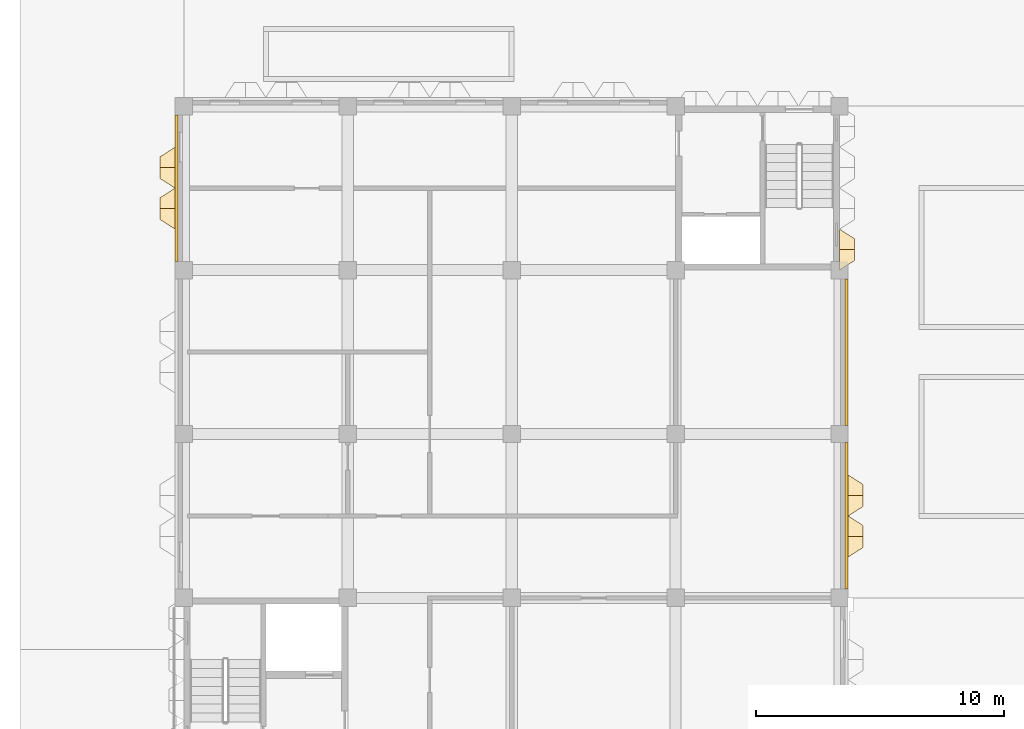
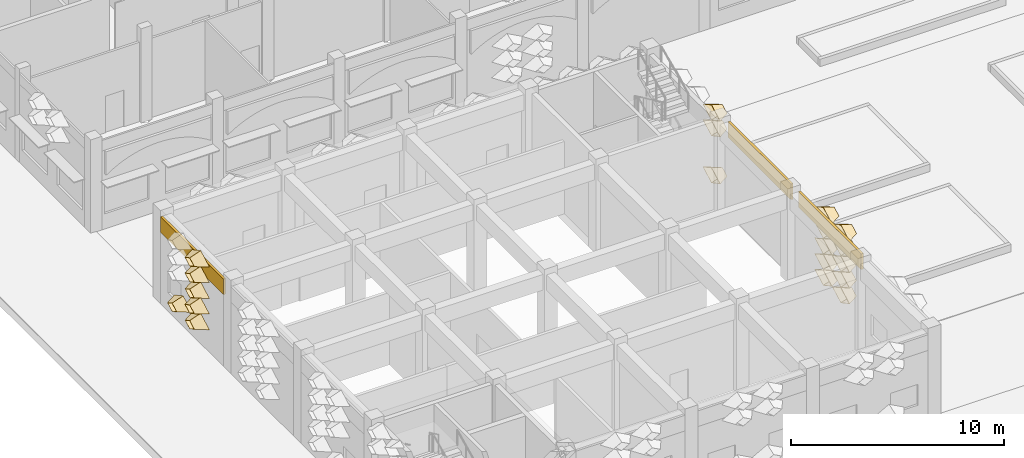
# One storey, part 64 of 85: 22 coverings.
"""IFC4 building model written with IfcOpenShell, lengths in metres."""

from ifc_helpers import new_model, entity, si_unit, direction, frame, frame_2d, origin, place, context, subcontext, project, spatial, rectangle, extrude, material, layer, layer_set, type_object, element, save


model = new_model("IFC4")

# Units and contexts
model_context = context("Model", 3, precision=1e-05, world=origin(), true_north=direction((0.0, 1.0)))
body_context = subcontext(model_context, "Body", "Model", "MODEL_VIEW")
ifc_project = project(units=[si_unit("LENGTHUNIT", "METRE"), si_unit("AREAUNIT", "SQUARE_METRE"), si_unit("VOLUMEUNIT", "CUBIC_METRE"), si_unit("PLANEANGLEUNIT", "RADIAN"), si_unit("MASSUNIT", "GRAM", prefix="KILO")], contexts=[model_context])

# Site, building, storey
site_placement = place(None, origin())
site = spatial("IfcSite", under=ifc_project, at=site_placement, CompositionType="ELEMENT")
building_placement = place(site_placement, origin())
building = spatial("IfcBuilding", under=site, at=building_placement, Name="Lantern Court Research Institute", CompositionType="ELEMENT")
storey_placement = place(building_placement, origin())
storey = spatial("IfcBuildingStorey", under=building, at=storey_placement, Name="L00", CompositionType="ELEMENT", Elevation=0.0)

# Coverings
ifc_material_1 = material(Name="Aluminium composite panel with mineral wool insulation", Category="aluminium")
ifc_layer_1 = layer(ifc_material_1, 0.125)
ifc_layer_set_1 = layer_set([ifc_layer_1], Name="Aluminium composite panel with mineral wool insulation")
covering_type_1 = type_object("IfcCoveringType", Name="Edge fascia panel 125 aluminium faced", PredefinedType="CLADDING", material=ifc_layer_set_1)
covering_1_placement = place(storey_placement, frame((26.6875, 62.35009765625, 4.14990234375), z_axis=(0.0, 0.0, 1.0), x_axis=(0.0, -1.0, 0.0)))
element("IfcCovering", 1, at=covering_1_placement, inside=storey, type_object=covering_type_1, Name="Edge fascia V3E L00 02", PredefinedType="CLADDING", context=body_context, shape_type="SweptSolid", body=[
    extrude(rectangle(XDim=5.900146484375, YDim=0.125, at=frame_2d((2.9501953125, 0.0))), origin(), (0.0, 0.0, 1.0), 0.900146484375),
])
covering_2_placement = place(storey_placement, frame((26.6875, 68.949951171875, 4.14990234375), z_axis=(0.0, 0.0, 1.0), x_axis=(0.0, -1.0, 0.0)))
element("IfcCovering", 2, at=covering_2_placement, inside=storey, type_object=covering_type_1, Name="Edge fascia V3E L00 03", PredefinedType="CLADDING", context=body_context, shape_type="SweptSolid", body=[
    extrude(rectangle(XDim=5.89990234375, YDim=0.125, at=frame_2d((2.949951171875, 0.0))), origin(), (0.0, 0.0, 1.0), 0.900146484375),
])
covering_3_placement = place(storey_placement, frame((-0.28759765625, 69.64990234375, 4.14990234375), z_axis=(0.0, 0.0, 1.0), x_axis=(0.0, 1.0, 0.0)))
element("IfcCovering", 3, at=covering_3_placement, inside=storey, type_object=covering_type_1, Name="Edge fascia V3W L00 03", PredefinedType="CLADDING", context=body_context, shape_type="SweptSolid", body=[
    extrude(rectangle(XDim=5.900146484375, YDim=0.125, at=frame_2d((2.9501953125, 0.0))), origin(), (0.0, 0.0, 1.0), 0.900146484375),
])
ifc_material_2 = material(Name="Anodised aluminium", Category="aluminium")
ifc_layer_2 = layer(ifc_material_2, 0.01611328125)
ifc_layer_set_2 = layer_set([ifc_layer_2], Name="Anodised aluminium")
covering_type_2 = type_object("IfcCoveringType", Name="Fin cassette 1650 x 900 x 600 aluminium", PredefinedType="CLADDING", material=ifc_layer_set_2)
covering_4_placement = place(storey_placement, frame((26.39990234375, 70.125, 1.35009765625), z_axis=(1.0, 0.0, 0.0), x_axis=(0.0, 1.0, 0.0)))
cartesian_point_1 = entity("IfcCartesianPoint", [0.824951171875, 0.0])
cartesian_point_2 = entity("IfcCartesianPoint", [0.79150390625, 0.0])
cartesian_point_3 = entity("IfcCartesianPoint", [0.44189453125, 0.0])
cartesian_point_4 = entity("IfcCartesianPoint", [0.43359375, 0.0])
element("IfcCovering", 4, at=covering_4_placement, inside=storey, type_object=covering_type_2, Name="Fin cassette V3E-L00 2.43", PredefinedType="CLADDING", context=body_context, shape_type="SweptSolid", body=[
    entity("IfcExtrudedAreaSolidTapered", entity("IfcArbitraryProfileDefWithVoids", "AREA", None, entity("IfcPolyline", [cartesian_point_1, entity("IfcCartesianPoint", [0.0, 0.449951171875]), entity("IfcCartesianPoint", [-0.824951171875, 0.0]), entity("IfcCartesianPoint", [0.0, -0.449951171875]), cartesian_point_1]), [entity("IfcPolyline", [cartesian_point_2, entity("IfcCartesianPoint", [0.0, 0.431884765625]), entity("IfcCartesianPoint", [-0.79150390625, 0.0]), entity("IfcCartesianPoint", [0.0, -0.431884765625]), cartesian_point_2])]), entity("IfcAxis2Placement3D", entity("IfcCartesianPoint", [0.0, 0.0, 0.0])), entity("IfcDirection", [0.0, 0.0, 1.0]), 0.60009765625, entity("IfcArbitraryProfileDefWithVoids", "AREA", None, entity("IfcPolyline", [cartesian_point_3, entity("IfcCartesianPoint", [0.0, 0.240966796875]), entity("IfcCartesianPoint", [-0.44189453125, 0.0]), entity("IfcCartesianPoint", [0.0, -0.240966796875]), cartesian_point_3]), [entity("IfcPolyline", [cartesian_point_4, entity("IfcCartesianPoint", [0.0, 0.236572265625]), entity("IfcCartesianPoint", [-0.43359375, 0.0]), entity("IfcCartesianPoint", [0.0, -0.236572265625]), cartesian_point_4])])),
])
covering_5_placement = place(storey_placement, frame((26.39990234375, 70.125, 4.050048828125), z_axis=(1.0, 0.0, 0.0), x_axis=(0.0, 1.0, 0.0)))
cartesian_point_5 = entity("IfcCartesianPoint", [0.824951171875, 0.0])
cartesian_point_6 = entity("IfcCartesianPoint", [0.79150390625, 0.0])
cartesian_point_7 = entity("IfcCartesianPoint", [0.44189453125, 0.0])
cartesian_point_8 = entity("IfcCartesianPoint", [0.43359375, 0.0])
element("IfcCovering", 5, at=covering_5_placement, inside=storey, type_object=covering_type_2, Name="Fin cassette V3E-L00 5.43", PredefinedType="CLADDING", context=body_context, shape_type="SweptSolid", body=[
    entity("IfcExtrudedAreaSolidTapered", entity("IfcArbitraryProfileDefWithVoids", "AREA", None, entity("IfcPolyline", [cartesian_point_5, entity("IfcCartesianPoint", [0.0, 0.449951171875]), entity("IfcCartesianPoint", [-0.824951171875, 0.0]), entity("IfcCartesianPoint", [0.0, -0.449951171875]), cartesian_point_5]), [entity("IfcPolyline", [cartesian_point_6, entity("IfcCartesianPoint", [0.0, 0.431884765625]), entity("IfcCartesianPoint", [-0.79150390625, 0.0]), entity("IfcCartesianPoint", [0.0, -0.431884765625]), cartesian_point_6])]), entity("IfcAxis2Placement3D", entity("IfcCartesianPoint", [0.0, 0.0, 0.0])), entity("IfcDirection", [0.0, 0.0, 1.0]), 0.60009765625, entity("IfcArbitraryProfileDefWithVoids", "AREA", None, entity("IfcPolyline", [cartesian_point_7, entity("IfcCartesianPoint", [0.0, 0.240966796875]), entity("IfcCartesianPoint", [-0.44189453125, 0.0]), entity("IfcCartesianPoint", [0.0, -0.240966796875]), cartesian_point_7]), [entity("IfcPolyline", [cartesian_point_8, entity("IfcCartesianPoint", [0.0, 0.236572265625]), entity("IfcCartesianPoint", [-0.43359375, 0.0]), entity("IfcCartesianPoint", [0.0, -0.236572265625]), cartesian_point_8])])),
])
covering_6_placement = place(storey_placement, frame((26.39990234375, 70.125, 4.949951171875), z_axis=(1.0, 0.0, 0.0), x_axis=(0.0, 1.0, 0.0)))
cartesian_point_9 = entity("IfcCartesianPoint", [0.824951171875, 0.0])
cartesian_point_10 = entity("IfcCartesianPoint", [0.79150390625, 0.0])
cartesian_point_11 = entity("IfcCartesianPoint", [0.44189453125, 0.0])
cartesian_point_12 = entity("IfcCartesianPoint", [0.43359375, 0.0])
element("IfcCovering", 6, at=covering_6_placement, inside=storey, type_object=covering_type_2, Name="Fin cassette V3E-L00 6.43", PredefinedType="CLADDING", context=body_context, shape_type="SweptSolid", body=[
    entity("IfcExtrudedAreaSolidTapered", entity("IfcArbitraryProfileDefWithVoids", "AREA", None, entity("IfcPolyline", [cartesian_point_9, entity("IfcCartesianPoint", [0.0, 0.449951171875]), entity("IfcCartesianPoint", [-0.824951171875, 0.0]), entity("IfcCartesianPoint", [0.0, -0.449951171875]), cartesian_point_9]), [entity("IfcPolyline", [cartesian_point_10, entity("IfcCartesianPoint", [0.0, 0.431884765625]), entity("IfcCartesianPoint", [-0.79150390625, 0.0]), entity("IfcCartesianPoint", [0.0, -0.431884765625]), cartesian_point_10])]), entity("IfcAxis2Placement3D", entity("IfcCartesianPoint", [0.0, 0.0, 0.0])), entity("IfcDirection", [0.0, 0.0, 1.0]), 0.60009765625, entity("IfcArbitraryProfileDefWithVoids", "AREA", None, entity("IfcPolyline", [cartesian_point_11, entity("IfcCartesianPoint", [0.0, 0.240966796875]), entity("IfcCartesianPoint", [-0.44189453125, 0.0]), entity("IfcCartesianPoint", [0.0, -0.240966796875]), cartesian_point_11]), [entity("IfcPolyline", [cartesian_point_12, entity("IfcCartesianPoint", [0.0, 0.236572265625]), entity("IfcCartesianPoint", [-0.43359375, 0.0]), entity("IfcCartesianPoint", [0.0, -0.236572265625]), cartesian_point_12])])),
])
covering_7_placement = place(storey_placement, frame((26.75, 58.574951171875, 1.35009765625), z_axis=(1.0, 0.0, 0.0), x_axis=(0.0, 1.0, 0.0)))
cartesian_point_13 = entity("IfcCartesianPoint", [0.824951171875, 0.0])
cartesian_point_14 = entity("IfcCartesianPoint", [0.79150390625, 0.0])
cartesian_point_15 = entity("IfcCartesianPoint", [0.44189453125, 0.0])
cartesian_point_16 = entity("IfcCartesianPoint", [0.43359375, 0.0])
element("IfcCovering", 7, at=covering_7_placement, inside=storey, type_object=covering_type_2, Name="Fin cassette V3E-L00 2.36", PredefinedType="CLADDING", context=body_context, shape_type="SweptSolid", body=[
    entity("IfcExtrudedAreaSolidTapered", entity("IfcArbitraryProfileDefWithVoids", "AREA", None, entity("IfcPolyline", [cartesian_point_13, entity("IfcCartesianPoint", [0.0, 0.449951171875]), entity("IfcCartesianPoint", [-0.824951171875, 0.0]), entity("IfcCartesianPoint", [0.0, -0.449951171875]), cartesian_point_13]), [entity("IfcPolyline", [cartesian_point_14, entity("IfcCartesianPoint", [0.0, 0.431884765625]), entity("IfcCartesianPoint", [-0.79150390625, 0.0]), entity("IfcCartesianPoint", [0.0, -0.431884765625]), cartesian_point_14])]), entity("IfcAxis2Placement3D", entity("IfcCartesianPoint", [0.0, 0.0, 0.0])), entity("IfcDirection", [0.0, 0.0, 1.0]), 0.60009765625, entity("IfcArbitraryProfileDefWithVoids", "AREA", None, entity("IfcPolyline", [cartesian_point_15, entity("IfcCartesianPoint", [0.0, 0.240966796875]), entity("IfcCartesianPoint", [-0.44189453125, 0.0]), entity("IfcCartesianPoint", [0.0, -0.240966796875]), cartesian_point_15]), [entity("IfcPolyline", [cartesian_point_16, entity("IfcCartesianPoint", [0.0, 0.236572265625]), entity("IfcCartesianPoint", [-0.43359375, 0.0]), entity("IfcCartesianPoint", [0.0, -0.236572265625]), cartesian_point_16])])),
])
covering_8_placement = place(storey_placement, frame((26.75, 60.22509765625, 1.35009765625), z_axis=(1.0, 0.0, 0.0), x_axis=(0.0, 1.0, 0.0)))
cartesian_point_17 = entity("IfcCartesianPoint", [0.824951171875, 0.0])
cartesian_point_18 = entity("IfcCartesianPoint", [0.79150390625, 0.0])
cartesian_point_19 = entity("IfcCartesianPoint", [0.44189453125, 0.0])
cartesian_point_20 = entity("IfcCartesianPoint", [0.43359375, 0.0])
element("IfcCovering", 8, at=covering_8_placement, inside=storey, type_object=covering_type_2, Name="Fin cassette V3E-L00 2.37", PredefinedType="CLADDING", context=body_context, shape_type="SweptSolid", body=[
    entity("IfcExtrudedAreaSolidTapered", entity("IfcArbitraryProfileDefWithVoids", "AREA", None, entity("IfcPolyline", [cartesian_point_17, entity("IfcCartesianPoint", [0.0, 0.449951171875]), entity("IfcCartesianPoint", [-0.824951171875, 0.0]), entity("IfcCartesianPoint", [0.0, -0.449951171875]), cartesian_point_17]), [entity("IfcPolyline", [cartesian_point_18, entity("IfcCartesianPoint", [0.0, 0.431884765625]), entity("IfcCartesianPoint", [-0.79150390625, 0.0]), entity("IfcCartesianPoint", [0.0, -0.431884765625]), cartesian_point_18])]), entity("IfcAxis2Placement3D", entity("IfcCartesianPoint", [0.0, 0.0, 0.0])), entity("IfcDirection", [0.0, 0.0, 1.0]), 0.60009765625, entity("IfcArbitraryProfileDefWithVoids", "AREA", None, entity("IfcPolyline", [cartesian_point_19, entity("IfcCartesianPoint", [0.0, 0.240966796875]), entity("IfcCartesianPoint", [-0.44189453125, 0.0]), entity("IfcCartesianPoint", [0.0, -0.240966796875]), cartesian_point_19]), [entity("IfcPolyline", [cartesian_point_20, entity("IfcCartesianPoint", [0.0, 0.236572265625]), entity("IfcCartesianPoint", [-0.43359375, 0.0]), entity("IfcCartesianPoint", [0.0, -0.236572265625]), cartesian_point_20])])),
])
covering_9_placement = place(storey_placement, frame((26.75, 58.574951171875, 2.25), z_axis=(1.0, 0.0, 0.0), x_axis=(0.0, 1.0, 0.0)))
cartesian_point_21 = entity("IfcCartesianPoint", [0.824951171875, 0.0])
cartesian_point_22 = entity("IfcCartesianPoint", [0.79150390625, 0.0])
cartesian_point_23 = entity("IfcCartesianPoint", [0.44189453125, 0.0])
cartesian_point_24 = entity("IfcCartesianPoint", [0.43359375, 0.0])
element("IfcCovering", 9, at=covering_9_placement, inside=storey, type_object=covering_type_2, Name="Fin cassette V3E-L00 3.36", PredefinedType="CLADDING", context=body_context, shape_type="SweptSolid", body=[
    entity("IfcExtrudedAreaSolidTapered", entity("IfcArbitraryProfileDefWithVoids", "AREA", None, entity("IfcPolyline", [cartesian_point_21, entity("IfcCartesianPoint", [0.0, 0.449951171875]), entity("IfcCartesianPoint", [-0.824951171875, 0.0]), entity("IfcCartesianPoint", [0.0, -0.449951171875]), cartesian_point_21]), [entity("IfcPolyline", [cartesian_point_22, entity("IfcCartesianPoint", [0.0, 0.431884765625]), entity("IfcCartesianPoint", [-0.79150390625, 0.0]), entity("IfcCartesianPoint", [0.0, -0.431884765625]), cartesian_point_22])]), entity("IfcAxis2Placement3D", entity("IfcCartesianPoint", [0.0, 0.0, 0.0])), entity("IfcDirection", [0.0, 0.0, 1.0]), 0.60009765625, entity("IfcArbitraryProfileDefWithVoids", "AREA", None, entity("IfcPolyline", [cartesian_point_23, entity("IfcCartesianPoint", [0.0, 0.240966796875]), entity("IfcCartesianPoint", [-0.44189453125, 0.0]), entity("IfcCartesianPoint", [0.0, -0.240966796875]), cartesian_point_23]), [entity("IfcPolyline", [cartesian_point_24, entity("IfcCartesianPoint", [0.0, 0.236572265625]), entity("IfcCartesianPoint", [-0.43359375, 0.0]), entity("IfcCartesianPoint", [0.0, -0.236572265625]), cartesian_point_24])])),
])
covering_10_placement = place(storey_placement, frame((26.75, 60.22509765625, 2.25), z_axis=(1.0, 0.0, 0.0), x_axis=(0.0, 1.0, 0.0)))
cartesian_point_25 = entity("IfcCartesianPoint", [0.824951171875, 0.0])
cartesian_point_26 = entity("IfcCartesianPoint", [0.79150390625, 0.0])
cartesian_point_27 = entity("IfcCartesianPoint", [0.44189453125, 0.0])
cartesian_point_28 = entity("IfcCartesianPoint", [0.43359375, 0.0])
element("IfcCovering", 10, at=covering_10_placement, inside=storey, type_object=covering_type_2, Name="Fin cassette V3E-L00 3.37", PredefinedType="CLADDING", context=body_context, shape_type="SweptSolid", body=[
    entity("IfcExtrudedAreaSolidTapered", entity("IfcArbitraryProfileDefWithVoids", "AREA", None, entity("IfcPolyline", [cartesian_point_25, entity("IfcCartesianPoint", [0.0, 0.449951171875]), entity("IfcCartesianPoint", [-0.824951171875, 0.0]), entity("IfcCartesianPoint", [0.0, -0.449951171875]), cartesian_point_25]), [entity("IfcPolyline", [cartesian_point_26, entity("IfcCartesianPoint", [0.0, 0.431884765625]), entity("IfcCartesianPoint", [-0.79150390625, 0.0]), entity("IfcCartesianPoint", [0.0, -0.431884765625]), cartesian_point_26])]), entity("IfcAxis2Placement3D", entity("IfcCartesianPoint", [0.0, 0.0, 0.0])), entity("IfcDirection", [0.0, 0.0, 1.0]), 0.60009765625, entity("IfcArbitraryProfileDefWithVoids", "AREA", None, entity("IfcPolyline", [cartesian_point_27, entity("IfcCartesianPoint", [0.0, 0.240966796875]), entity("IfcCartesianPoint", [-0.44189453125, 0.0]), entity("IfcCartesianPoint", [0.0, -0.240966796875]), cartesian_point_27]), [entity("IfcPolyline", [cartesian_point_28, entity("IfcCartesianPoint", [0.0, 0.236572265625]), entity("IfcCartesianPoint", [-0.43359375, 0.0]), entity("IfcCartesianPoint", [0.0, -0.236572265625]), cartesian_point_28])])),
])
covering_11_placement = place(storey_placement, frame((26.75, 58.574951171875, 3.14990234375), z_axis=(1.0, 0.0, 0.0), x_axis=(0.0, 1.0, 0.0)))
cartesian_point_29 = entity("IfcCartesianPoint", [0.824951171875, 0.0])
cartesian_point_30 = entity("IfcCartesianPoint", [0.79150390625, 0.0])
cartesian_point_31 = entity("IfcCartesianPoint", [0.44189453125, 0.0])
cartesian_point_32 = entity("IfcCartesianPoint", [0.43359375, 0.0])
element("IfcCovering", 11, at=covering_11_placement, inside=storey, type_object=covering_type_2, Name="Fin cassette V3E-L00 4.36", PredefinedType="CLADDING", context=body_context, shape_type="SweptSolid", body=[
    entity("IfcExtrudedAreaSolidTapered", entity("IfcArbitraryProfileDefWithVoids", "AREA", None, entity("IfcPolyline", [cartesian_point_29, entity("IfcCartesianPoint", [0.0, 0.449951171875]), entity("IfcCartesianPoint", [-0.824951171875, 0.0]), entity("IfcCartesianPoint", [0.0, -0.449951171875]), cartesian_point_29]), [entity("IfcPolyline", [cartesian_point_30, entity("IfcCartesianPoint", [0.0, 0.431884765625]), entity("IfcCartesianPoint", [-0.79150390625, 0.0]), entity("IfcCartesianPoint", [0.0, -0.431884765625]), cartesian_point_30])]), entity("IfcAxis2Placement3D", entity("IfcCartesianPoint", [0.0, 0.0, 0.0])), entity("IfcDirection", [0.0, 0.0, 1.0]), 0.60009765625, entity("IfcArbitraryProfileDefWithVoids", "AREA", None, entity("IfcPolyline", [cartesian_point_31, entity("IfcCartesianPoint", [0.0, 0.240966796875]), entity("IfcCartesianPoint", [-0.44189453125, 0.0]), entity("IfcCartesianPoint", [0.0, -0.240966796875]), cartesian_point_31]), [entity("IfcPolyline", [cartesian_point_32, entity("IfcCartesianPoint", [0.0, 0.236572265625]), entity("IfcCartesianPoint", [-0.43359375, 0.0]), entity("IfcCartesianPoint", [0.0, -0.236572265625]), cartesian_point_32])])),
])
covering_12_placement = place(storey_placement, frame((26.75, 60.22509765625, 3.14990234375), z_axis=(1.0, 0.0, 0.0), x_axis=(0.0, 1.0, 0.0)))
cartesian_point_33 = entity("IfcCartesianPoint", [0.824951171875, 0.0])
cartesian_point_34 = entity("IfcCartesianPoint", [0.79150390625, 0.0])
cartesian_point_35 = entity("IfcCartesianPoint", [0.44189453125, 0.0])
cartesian_point_36 = entity("IfcCartesianPoint", [0.43359375, 0.0])
element("IfcCovering", 12, at=covering_12_placement, inside=storey, type_object=covering_type_2, Name="Fin cassette V3E-L00 4.37", PredefinedType="CLADDING", context=body_context, shape_type="SweptSolid", body=[
    entity("IfcExtrudedAreaSolidTapered", entity("IfcArbitraryProfileDefWithVoids", "AREA", None, entity("IfcPolyline", [cartesian_point_33, entity("IfcCartesianPoint", [0.0, 0.449951171875]), entity("IfcCartesianPoint", [-0.824951171875, 0.0]), entity("IfcCartesianPoint", [0.0, -0.449951171875]), cartesian_point_33]), [entity("IfcPolyline", [cartesian_point_34, entity("IfcCartesianPoint", [0.0, 0.431884765625]), entity("IfcCartesianPoint", [-0.79150390625, 0.0]), entity("IfcCartesianPoint", [0.0, -0.431884765625]), cartesian_point_34])]), entity("IfcAxis2Placement3D", entity("IfcCartesianPoint", [0.0, 0.0, 0.0])), entity("IfcDirection", [0.0, 0.0, 1.0]), 0.60009765625, entity("IfcArbitraryProfileDefWithVoids", "AREA", None, entity("IfcPolyline", [cartesian_point_35, entity("IfcCartesianPoint", [0.0, 0.240966796875]), entity("IfcCartesianPoint", [-0.44189453125, 0.0]), entity("IfcCartesianPoint", [0.0, -0.240966796875]), cartesian_point_35]), [entity("IfcPolyline", [cartesian_point_36, entity("IfcCartesianPoint", [0.0, 0.236572265625]), entity("IfcCartesianPoint", [-0.43359375, 0.0]), entity("IfcCartesianPoint", [0.0, -0.236572265625]), cartesian_point_36])])),
])
covering_13_placement = place(storey_placement, frame((26.75, 58.574951171875, 4.050048828125), z_axis=(1.0, 0.0, 0.0), x_axis=(0.0, 1.0, 0.0)))
cartesian_point_37 = entity("IfcCartesianPoint", [0.824951171875, 0.0])
cartesian_point_38 = entity("IfcCartesianPoint", [0.79150390625, 0.0])
cartesian_point_39 = entity("IfcCartesianPoint", [0.44189453125, 0.0])
cartesian_point_40 = entity("IfcCartesianPoint", [0.43359375, 0.0])
element("IfcCovering", 13, at=covering_13_placement, inside=storey, type_object=covering_type_2, Name="Fin cassette V3E-L00 5.36", PredefinedType="CLADDING", context=body_context, shape_type="SweptSolid", body=[
    entity("IfcExtrudedAreaSolidTapered", entity("IfcArbitraryProfileDefWithVoids", "AREA", None, entity("IfcPolyline", [cartesian_point_37, entity("IfcCartesianPoint", [0.0, 0.449951171875]), entity("IfcCartesianPoint", [-0.824951171875, 0.0]), entity("IfcCartesianPoint", [0.0, -0.449951171875]), cartesian_point_37]), [entity("IfcPolyline", [cartesian_point_38, entity("IfcCartesianPoint", [0.0, 0.431884765625]), entity("IfcCartesianPoint", [-0.79150390625, 0.0]), entity("IfcCartesianPoint", [0.0, -0.431884765625]), cartesian_point_38])]), entity("IfcAxis2Placement3D", entity("IfcCartesianPoint", [0.0, 0.0, 0.0])), entity("IfcDirection", [0.0, 0.0, 1.0]), 0.60009765625, entity("IfcArbitraryProfileDefWithVoids", "AREA", None, entity("IfcPolyline", [cartesian_point_39, entity("IfcCartesianPoint", [0.0, 0.240966796875]), entity("IfcCartesianPoint", [-0.44189453125, 0.0]), entity("IfcCartesianPoint", [0.0, -0.240966796875]), cartesian_point_39]), [entity("IfcPolyline", [cartesian_point_40, entity("IfcCartesianPoint", [0.0, 0.236572265625]), entity("IfcCartesianPoint", [-0.43359375, 0.0]), entity("IfcCartesianPoint", [0.0, -0.236572265625]), cartesian_point_40])])),
])
covering_14_placement = place(storey_placement, frame((26.75, 60.22509765625, 4.050048828125), z_axis=(1.0, 0.0, 0.0), x_axis=(0.0, 1.0, 0.0)))
cartesian_point_41 = entity("IfcCartesianPoint", [0.824951171875, 0.0])
cartesian_point_42 = entity("IfcCartesianPoint", [0.79150390625, 0.0])
cartesian_point_43 = entity("IfcCartesianPoint", [0.44189453125, 0.0])
cartesian_point_44 = entity("IfcCartesianPoint", [0.43359375, 0.0])
element("IfcCovering", 14, at=covering_14_placement, inside=storey, type_object=covering_type_2, Name="Fin cassette V3E-L00 5.37", PredefinedType="CLADDING", context=body_context, shape_type="SweptSolid", body=[
    entity("IfcExtrudedAreaSolidTapered", entity("IfcArbitraryProfileDefWithVoids", "AREA", None, entity("IfcPolyline", [cartesian_point_41, entity("IfcCartesianPoint", [0.0, 0.449951171875]), entity("IfcCartesianPoint", [-0.824951171875, 0.0]), entity("IfcCartesianPoint", [0.0, -0.449951171875]), cartesian_point_41]), [entity("IfcPolyline", [cartesian_point_42, entity("IfcCartesianPoint", [0.0, 0.431884765625]), entity("IfcCartesianPoint", [-0.79150390625, 0.0]), entity("IfcCartesianPoint", [0.0, -0.431884765625]), cartesian_point_42])]), entity("IfcAxis2Placement3D", entity("IfcCartesianPoint", [0.0, 0.0, 0.0])), entity("IfcDirection", [0.0, 0.0, 1.0]), 0.60009765625, entity("IfcArbitraryProfileDefWithVoids", "AREA", None, entity("IfcPolyline", [cartesian_point_43, entity("IfcCartesianPoint", [0.0, 0.240966796875]), entity("IfcCartesianPoint", [-0.44189453125, 0.0]), entity("IfcCartesianPoint", [0.0, -0.240966796875]), cartesian_point_43]), [entity("IfcPolyline", [cartesian_point_44, entity("IfcCartesianPoint", [0.0, 0.236572265625]), entity("IfcCartesianPoint", [-0.43359375, 0.0]), entity("IfcCartesianPoint", [0.0, -0.236572265625]), cartesian_point_44])])),
])
covering_15_placement = place(storey_placement, frame((26.75, 58.574951171875, 4.949951171875), z_axis=(1.0, 0.0, 0.0), x_axis=(0.0, 1.0, 0.0)))
cartesian_point_45 = entity("IfcCartesianPoint", [0.824951171875, 0.0])
cartesian_point_46 = entity("IfcCartesianPoint", [0.79150390625, 0.0])
cartesian_point_47 = entity("IfcCartesianPoint", [0.44189453125, 0.0])
cartesian_point_48 = entity("IfcCartesianPoint", [0.43359375, 0.0])
element("IfcCovering", 15, at=covering_15_placement, inside=storey, type_object=covering_type_2, Name="Fin cassette V3E-L00 6.36", PredefinedType="CLADDING", context=body_context, shape_type="SweptSolid", body=[
    entity("IfcExtrudedAreaSolidTapered", entity("IfcArbitraryProfileDefWithVoids", "AREA", None, entity("IfcPolyline", [cartesian_point_45, entity("IfcCartesianPoint", [0.0, 0.449951171875]), entity("IfcCartesianPoint", [-0.824951171875, 0.0]), entity("IfcCartesianPoint", [0.0, -0.449951171875]), cartesian_point_45]), [entity("IfcPolyline", [cartesian_point_46, entity("IfcCartesianPoint", [0.0, 0.431884765625]), entity("IfcCartesianPoint", [-0.79150390625, 0.0]), entity("IfcCartesianPoint", [0.0, -0.431884765625]), cartesian_point_46])]), entity("IfcAxis2Placement3D", entity("IfcCartesianPoint", [0.0, 0.0, 0.0])), entity("IfcDirection", [0.0, 0.0, 1.0]), 0.60009765625, entity("IfcArbitraryProfileDefWithVoids", "AREA", None, entity("IfcPolyline", [cartesian_point_47, entity("IfcCartesianPoint", [0.0, 0.240966796875]), entity("IfcCartesianPoint", [-0.44189453125, 0.0]), entity("IfcCartesianPoint", [0.0, -0.240966796875]), cartesian_point_47]), [entity("IfcPolyline", [cartesian_point_48, entity("IfcCartesianPoint", [0.0, 0.236572265625]), entity("IfcCartesianPoint", [-0.43359375, 0.0]), entity("IfcCartesianPoint", [0.0, -0.236572265625]), cartesian_point_48])])),
])
covering_16_placement = place(storey_placement, frame((26.75, 60.22509765625, 4.949951171875), z_axis=(1.0, 0.0, 0.0), x_axis=(0.0, 1.0, 0.0)))
cartesian_point_49 = entity("IfcCartesianPoint", [0.824951171875, 0.0])
cartesian_point_50 = entity("IfcCartesianPoint", [0.79150390625, 0.0])
cartesian_point_51 = entity("IfcCartesianPoint", [0.44189453125, 0.0])
cartesian_point_52 = entity("IfcCartesianPoint", [0.43359375, 0.0])
element("IfcCovering", 16, at=covering_16_placement, inside=storey, type_object=covering_type_2, Name="Fin cassette V3E-L00 6.37", PredefinedType="CLADDING", context=body_context, shape_type="SweptSolid", body=[
    entity("IfcExtrudedAreaSolidTapered", entity("IfcArbitraryProfileDefWithVoids", "AREA", None, entity("IfcPolyline", [cartesian_point_49, entity("IfcCartesianPoint", [0.0, 0.449951171875]), entity("IfcCartesianPoint", [-0.824951171875, 0.0]), entity("IfcCartesianPoint", [0.0, -0.449951171875]), cartesian_point_49]), [entity("IfcPolyline", [cartesian_point_50, entity("IfcCartesianPoint", [0.0, 0.431884765625]), entity("IfcCartesianPoint", [-0.79150390625, 0.0]), entity("IfcCartesianPoint", [0.0, -0.431884765625]), cartesian_point_50])]), entity("IfcAxis2Placement3D", entity("IfcCartesianPoint", [0.0, 0.0, 0.0])), entity("IfcDirection", [0.0, 0.0, 1.0]), 0.60009765625, entity("IfcArbitraryProfileDefWithVoids", "AREA", None, entity("IfcPolyline", [cartesian_point_51, entity("IfcCartesianPoint", [0.0, 0.240966796875]), entity("IfcCartesianPoint", [-0.44189453125, 0.0]), entity("IfcCartesianPoint", [0.0, -0.240966796875]), cartesian_point_51]), [entity("IfcPolyline", [cartesian_point_52, entity("IfcCartesianPoint", [0.0, 0.236572265625]), entity("IfcCartesianPoint", [-0.43359375, 0.0]), entity("IfcCartesianPoint", [0.0, -0.236572265625]), cartesian_point_52])])),
])
covering_17_placement = place(storey_placement, frame((-0.35009765625, 71.77490234375, 1.35009765625), z_axis=(-1.0, 0.0, 0.0), x_axis=(0.0, -1.0, 0.0)))
cartesian_point_53 = entity("IfcCartesianPoint", [0.824951171875, 0.0])
cartesian_point_54 = entity("IfcCartesianPoint", [0.79150390625, 0.0])
cartesian_point_55 = entity("IfcCartesianPoint", [0.44189453125, 0.0])
cartesian_point_56 = entity("IfcCartesianPoint", [0.43359375, 0.0])
element("IfcCovering", 17, at=covering_17_placement, inside=storey, type_object=covering_type_2, Name="Fin cassette V3W-L00 2.44", PredefinedType="CLADDING", context=body_context, shape_type="SweptSolid", body=[
    entity("IfcExtrudedAreaSolidTapered", entity("IfcArbitraryProfileDefWithVoids", "AREA", None, entity("IfcPolyline", [cartesian_point_53, entity("IfcCartesianPoint", [0.0, 0.449951171875]), entity("IfcCartesianPoint", [-0.824951171875, 0.0]), entity("IfcCartesianPoint", [0.0, -0.449951171875]), cartesian_point_53]), [entity("IfcPolyline", [cartesian_point_54, entity("IfcCartesianPoint", [0.0, 0.431884765625]), entity("IfcCartesianPoint", [-0.79150390625, 0.0]), entity("IfcCartesianPoint", [0.0, -0.431884765625]), cartesian_point_54])]), entity("IfcAxis2Placement3D", entity("IfcCartesianPoint", [0.0, 0.0, 0.0])), entity("IfcDirection", [0.0, 0.0, 1.0]), 0.60009765625, entity("IfcArbitraryProfileDefWithVoids", "AREA", None, entity("IfcPolyline", [cartesian_point_55, entity("IfcCartesianPoint", [0.0, 0.240966796875]), entity("IfcCartesianPoint", [-0.44189453125, 0.0]), entity("IfcCartesianPoint", [0.0, -0.240966796875]), cartesian_point_55]), [entity("IfcPolyline", [cartesian_point_56, entity("IfcCartesianPoint", [0.0, 0.236572265625]), entity("IfcCartesianPoint", [-0.43359375, 0.0]), entity("IfcCartesianPoint", [0.0, -0.236572265625]), cartesian_point_56])])),
])
covering_18_placement = place(storey_placement, frame((-0.35009765625, 73.425048828125, 1.35009765625), z_axis=(-1.0, 0.0, 0.0), x_axis=(0.0, -1.0, 0.0)))
cartesian_point_57 = entity("IfcCartesianPoint", [0.824951171875, 0.0])
cartesian_point_58 = entity("IfcCartesianPoint", [0.79150390625, 0.0])
cartesian_point_59 = entity("IfcCartesianPoint", [0.44189453125, 0.0])
cartesian_point_60 = entity("IfcCartesianPoint", [0.43359375, 0.0])
element("IfcCovering", 18, at=covering_18_placement, inside=storey, type_object=covering_type_2, Name="Fin cassette V3W-L00 2.45", PredefinedType="CLADDING", context=body_context, shape_type="SweptSolid", body=[
    entity("IfcExtrudedAreaSolidTapered", entity("IfcArbitraryProfileDefWithVoids", "AREA", None, entity("IfcPolyline", [cartesian_point_57, entity("IfcCartesianPoint", [0.0, 0.449951171875]), entity("IfcCartesianPoint", [-0.824951171875, 0.0]), entity("IfcCartesianPoint", [0.0, -0.449951171875]), cartesian_point_57]), [entity("IfcPolyline", [cartesian_point_58, entity("IfcCartesianPoint", [0.0, 0.431884765625]), entity("IfcCartesianPoint", [-0.79150390625, 0.0]), entity("IfcCartesianPoint", [0.0, -0.431884765625]), cartesian_point_58])]), entity("IfcAxis2Placement3D", entity("IfcCartesianPoint", [0.0, 0.0, 0.0])), entity("IfcDirection", [0.0, 0.0, 1.0]), 0.60009765625, entity("IfcArbitraryProfileDefWithVoids", "AREA", None, entity("IfcPolyline", [cartesian_point_59, entity("IfcCartesianPoint", [0.0, 0.240966796875]), entity("IfcCartesianPoint", [-0.44189453125, 0.0]), entity("IfcCartesianPoint", [0.0, -0.240966796875]), cartesian_point_59]), [entity("IfcPolyline", [cartesian_point_60, entity("IfcCartesianPoint", [0.0, 0.236572265625]), entity("IfcCartesianPoint", [-0.43359375, 0.0]), entity("IfcCartesianPoint", [0.0, -0.236572265625]), cartesian_point_60])])),
])
covering_19_placement = place(storey_placement, frame((-0.35009765625, 71.77490234375, 2.25), z_axis=(-1.0, 0.0, 0.0), x_axis=(0.0, -1.0, 0.0)))
cartesian_point_61 = entity("IfcCartesianPoint", [0.824951171875, 0.0])
cartesian_point_62 = entity("IfcCartesianPoint", [0.79150390625, 0.0])
cartesian_point_63 = entity("IfcCartesianPoint", [0.44189453125, 0.0])
cartesian_point_64 = entity("IfcCartesianPoint", [0.43359375, 0.0])
element("IfcCovering", 19, at=covering_19_placement, inside=storey, type_object=covering_type_2, Name="Fin cassette V3W-L00 3.44", PredefinedType="CLADDING", context=body_context, shape_type="SweptSolid", body=[
    entity("IfcExtrudedAreaSolidTapered", entity("IfcArbitraryProfileDefWithVoids", "AREA", None, entity("IfcPolyline", [cartesian_point_61, entity("IfcCartesianPoint", [0.0, 0.449951171875]), entity("IfcCartesianPoint", [-0.824951171875, 0.0]), entity("IfcCartesianPoint", [0.0, -0.449951171875]), cartesian_point_61]), [entity("IfcPolyline", [cartesian_point_62, entity("IfcCartesianPoint", [0.0, 0.431884765625]), entity("IfcCartesianPoint", [-0.79150390625, 0.0]), entity("IfcCartesianPoint", [0.0, -0.431884765625]), cartesian_point_62])]), entity("IfcAxis2Placement3D", entity("IfcCartesianPoint", [0.0, 0.0, 0.0])), entity("IfcDirection", [0.0, 0.0, 1.0]), 0.60009765625, entity("IfcArbitraryProfileDefWithVoids", "AREA", None, entity("IfcPolyline", [cartesian_point_63, entity("IfcCartesianPoint", [0.0, 0.240966796875]), entity("IfcCartesianPoint", [-0.44189453125, 0.0]), entity("IfcCartesianPoint", [0.0, -0.240966796875]), cartesian_point_63]), [entity("IfcPolyline", [cartesian_point_64, entity("IfcCartesianPoint", [0.0, 0.236572265625]), entity("IfcCartesianPoint", [-0.43359375, 0.0]), entity("IfcCartesianPoint", [0.0, -0.236572265625]), cartesian_point_64])])),
])
covering_20_placement = place(storey_placement, frame((-0.35009765625, 71.77490234375, 3.14990234375), z_axis=(-1.0, 0.0, 0.0), x_axis=(0.0, -1.0, 0.0)))
cartesian_point_65 = entity("IfcCartesianPoint", [0.824951171875, 0.0])
cartesian_point_66 = entity("IfcCartesianPoint", [0.79150390625, 0.0])
cartesian_point_67 = entity("IfcCartesianPoint", [0.44189453125, 0.0])
cartesian_point_68 = entity("IfcCartesianPoint", [0.43359375, 0.0])
element("IfcCovering", 20, at=covering_20_placement, inside=storey, type_object=covering_type_2, Name="Fin cassette V3W-L00 4.44", PredefinedType="CLADDING", context=body_context, shape_type="SweptSolid", body=[
    entity("IfcExtrudedAreaSolidTapered", entity("IfcArbitraryProfileDefWithVoids", "AREA", None, entity("IfcPolyline", [cartesian_point_65, entity("IfcCartesianPoint", [0.0, 0.449951171875]), entity("IfcCartesianPoint", [-0.824951171875, 0.0]), entity("IfcCartesianPoint", [0.0, -0.449951171875]), cartesian_point_65]), [entity("IfcPolyline", [cartesian_point_66, entity("IfcCartesianPoint", [0.0, 0.431884765625]), entity("IfcCartesianPoint", [-0.79150390625, 0.0]), entity("IfcCartesianPoint", [0.0, -0.431884765625]), cartesian_point_66])]), entity("IfcAxis2Placement3D", entity("IfcCartesianPoint", [0.0, 0.0, 0.0])), entity("IfcDirection", [0.0, 0.0, 1.0]), 0.60009765625, entity("IfcArbitraryProfileDefWithVoids", "AREA", None, entity("IfcPolyline", [cartesian_point_67, entity("IfcCartesianPoint", [0.0, 0.240966796875]), entity("IfcCartesianPoint", [-0.44189453125, 0.0]), entity("IfcCartesianPoint", [0.0, -0.240966796875]), cartesian_point_67]), [entity("IfcPolyline", [cartesian_point_68, entity("IfcCartesianPoint", [0.0, 0.236572265625]), entity("IfcCartesianPoint", [-0.43359375, 0.0]), entity("IfcCartesianPoint", [0.0, -0.236572265625]), cartesian_point_68])])),
])
covering_21_placement = place(storey_placement, frame((-0.35009765625, 71.77490234375, 4.050048828125), z_axis=(-1.0, 0.0, 0.0), x_axis=(0.0, -1.0, 0.0)))
cartesian_point_69 = entity("IfcCartesianPoint", [0.824951171875, 0.0])
cartesian_point_70 = entity("IfcCartesianPoint", [0.79150390625, 0.0])
cartesian_point_71 = entity("IfcCartesianPoint", [0.44189453125, 0.0])
cartesian_point_72 = entity("IfcCartesianPoint", [0.43359375, 0.0])
element("IfcCovering", 21, at=covering_21_placement, inside=storey, type_object=covering_type_2, Name="Fin cassette V3W-L00 5.44", PredefinedType="CLADDING", context=body_context, shape_type="SweptSolid", body=[
    entity("IfcExtrudedAreaSolidTapered", entity("IfcArbitraryProfileDefWithVoids", "AREA", None, entity("IfcPolyline", [cartesian_point_69, entity("IfcCartesianPoint", [0.0, 0.449951171875]), entity("IfcCartesianPoint", [-0.824951171875, 0.0]), entity("IfcCartesianPoint", [0.0, -0.449951171875]), cartesian_point_69]), [entity("IfcPolyline", [cartesian_point_70, entity("IfcCartesianPoint", [0.0, 0.431884765625]), entity("IfcCartesianPoint", [-0.79150390625, 0.0]), entity("IfcCartesianPoint", [0.0, -0.431884765625]), cartesian_point_70])]), entity("IfcAxis2Placement3D", entity("IfcCartesianPoint", [0.0, 0.0, 0.0])), entity("IfcDirection", [0.0, 0.0, 1.0]), 0.60009765625, entity("IfcArbitraryProfileDefWithVoids", "AREA", None, entity("IfcPolyline", [cartesian_point_71, entity("IfcCartesianPoint", [0.0, 0.240966796875]), entity("IfcCartesianPoint", [-0.44189453125, 0.0]), entity("IfcCartesianPoint", [0.0, -0.240966796875]), cartesian_point_71]), [entity("IfcPolyline", [cartesian_point_72, entity("IfcCartesianPoint", [0.0, 0.236572265625]), entity("IfcCartesianPoint", [-0.43359375, 0.0]), entity("IfcCartesianPoint", [0.0, -0.236572265625]), cartesian_point_72])])),
])
covering_22_placement = place(storey_placement, frame((-0.35009765625, 71.77490234375, 4.949951171875), z_axis=(-1.0, 0.0, 0.0), x_axis=(0.0, -1.0, 0.0)))
cartesian_point_73 = entity("IfcCartesianPoint", [0.824951171875, 0.0])
cartesian_point_74 = entity("IfcCartesianPoint", [0.79150390625, 0.0])
cartesian_point_75 = entity("IfcCartesianPoint", [0.44189453125, 0.0])
cartesian_point_76 = entity("IfcCartesianPoint", [0.43359375, 0.0])
element("IfcCovering", 22, at=covering_22_placement, inside=storey, type_object=covering_type_2, Name="Fin cassette V3W-L00 6.44", PredefinedType="CLADDING", context=body_context, shape_type="SweptSolid", body=[
    entity("IfcExtrudedAreaSolidTapered", entity("IfcArbitraryProfileDefWithVoids", "AREA", None, entity("IfcPolyline", [cartesian_point_73, entity("IfcCartesianPoint", [0.0, 0.449951171875]), entity("IfcCartesianPoint", [-0.824951171875, 0.0]), entity("IfcCartesianPoint", [0.0, -0.449951171875]), cartesian_point_73]), [entity("IfcPolyline", [cartesian_point_74, entity("IfcCartesianPoint", [0.0, 0.431884765625]), entity("IfcCartesianPoint", [-0.79150390625, 0.0]), entity("IfcCartesianPoint", [0.0, -0.431884765625]), cartesian_point_74])]), entity("IfcAxis2Placement3D", entity("IfcCartesianPoint", [0.0, 0.0, 0.0])), entity("IfcDirection", [0.0, 0.0, 1.0]), 0.60009765625, entity("IfcArbitraryProfileDefWithVoids", "AREA", None, entity("IfcPolyline", [cartesian_point_75, entity("IfcCartesianPoint", [0.0, 0.240966796875]), entity("IfcCartesianPoint", [-0.44189453125, 0.0]), entity("IfcCartesianPoint", [0.0, -0.240966796875]), cartesian_point_75]), [entity("IfcPolyline", [cartesian_point_76, entity("IfcCartesianPoint", [0.0, 0.236572265625]), entity("IfcCartesianPoint", [-0.43359375, 0.0]), entity("IfcCartesianPoint", [0.0, -0.236572265625]), cartesian_point_76])])),
])

save(model, "model.ifc")
